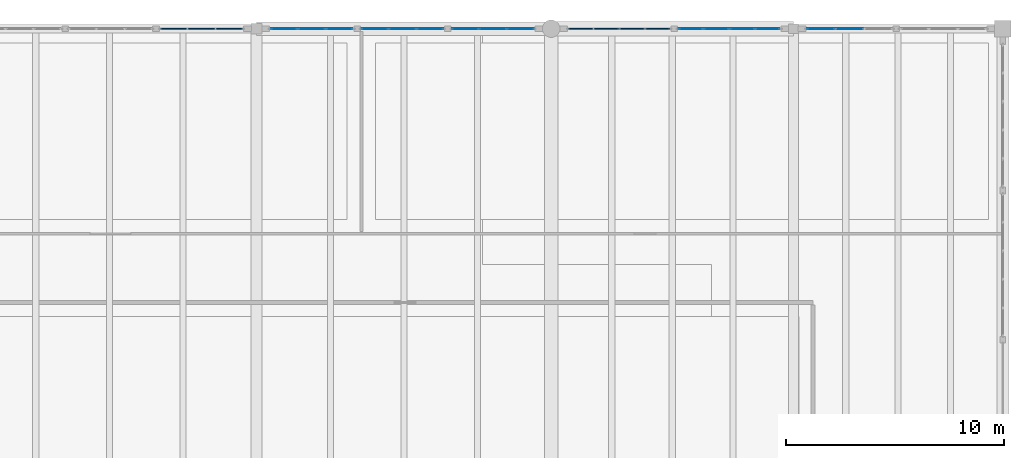
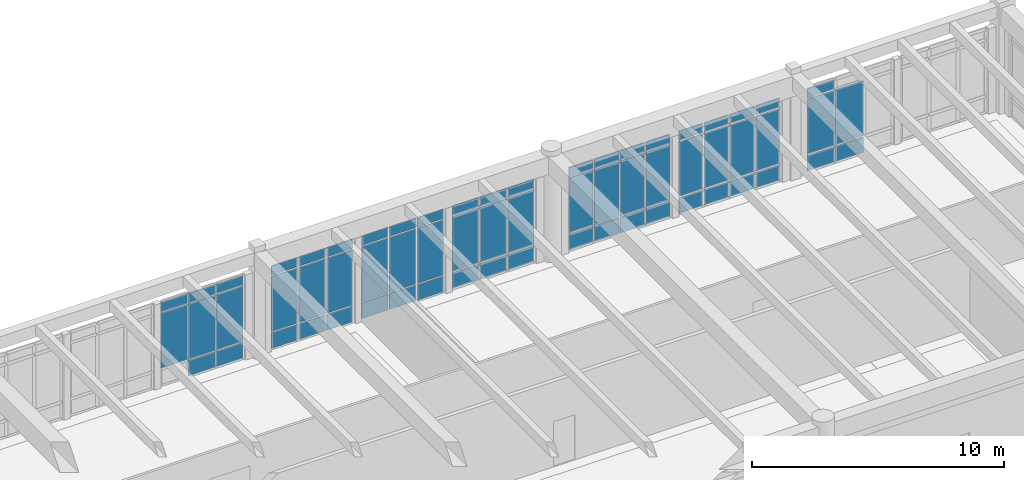
# One storey, part 97 of 138: 64 plates, 7 elements without a shape of their own.
"""IFC4 building model written with IfcOpenShell, lengths in metres."""

from ifc_helpers import new_model, si_unit, direction, frame, origin, origin_2d, place, context, subcontext, project, spatial, rectangle, extrude, material, layer, layer_set, type_object, element, aggregate, save


model = new_model("IFC4")

# Units and contexts
model_context = context("Model", 3, precision=1e-05, world=origin(), true_north=direction((0.0, 1.0)))
body_context = subcontext(model_context, "Body", "Model", "MODEL_VIEW")
ifc_project = project(units=[si_unit("LENGTHUNIT", "METRE"), si_unit("AREAUNIT", "SQUARE_METRE"), si_unit("VOLUMEUNIT", "CUBIC_METRE"), si_unit("PLANEANGLEUNIT", "RADIAN"), si_unit("MASSUNIT", "GRAM", prefix="KILO")], contexts=[model_context])

# Site, building, storey
site_placement = place(None, origin())
site = spatial("IfcSite", under=ifc_project, at=site_placement, CompositionType="ELEMENT")
building_placement = place(site_placement, origin())
building = spatial("IfcBuilding", under=site, at=building_placement, Name="Fikremerkos Civic Library", CompositionType="ELEMENT")
storey_placement = place(building_placement, origin())
storey = spatial("IfcBuildingStorey", under=building, at=storey_placement, Name="L00", CompositionType="ELEMENT", Elevation=0.0)

# Curtain wall, plates
ifc_material_1 = material(Name="Anodized aluminium Frame", Category="aluminium")
ifc_layer_1 = layer(ifc_material_1, 0.159912109375, Name="Anodized aluminium Frame")
ifc_layer_set_1 = layer_set([ifc_layer_1], Name="Anodized aluminium Frame")
curtain_wall_type_1 = type_object("IfcCurtainWallType", Name="Unitised curtain wall CW-13 3700x3200", PredefinedType="USERDEFINED", material=ifc_layer_set_1)
curtain_wall_1_placement = place(storey_placement, origin())
curtain_wall_1 = element("IfcCurtainWall", 1, at=curtain_wall_1_placement, inside=storey, type_object=curtain_wall_type_1, Name="Unitised curtain wall CW-13 L00 #49", ObjectType="UNITISED CURTAIN WALL", PredefinedType="USERDEFINED")
ifc_material_2 = material(Name="Solar control double glazing", Category="glass")
ifc_layer_2 = layer(ifc_material_2, 0.028076171875, Name="Solar control double glazing")
ifc_layer_set_2 = layer_set([ifc_layer_2], Name="Solar control double glazing")
plate_type_1 = type_object("IfcPlateType", Name="Curtain glazing panel CWP-01 28", PredefinedType="CURTAIN_PANEL", material=ifc_layer_set_2)
plate_1_placement = place(storey_placement, frame((101.4560546875, 117.60009765625, 0.06005859375), z_axis=(0.0, 0.0, 1.0), x_axis=(1.0, 0.0, 0.0)))
plate_1 = element("IfcPlate", 2, at=plate_1_placement, type_object=plate_type_1, Name="CW-13 panel 1.1", PredefinedType="CURTAIN_PANEL", context=body_context, shape_type="SweptSolid", body=[
    extrude(rectangle(XDim=1.186279296875, YDim=0.028076171875, at=origin_2d()), origin(), (0.0, 0.0, 1.0), 0.760009765625),
])
plate_2_placement = place(storey_placement, frame((101.4560546875, 117.60009765625, 0.880126953125), z_axis=(0.0, 0.0, 1.0), x_axis=(1.0, 0.0, 0.0)))
plate_2 = element("IfcPlate", 3, at=plate_2_placement, type_object=plate_type_1, Name="CW-13 panel 1.2", PredefinedType="CURTAIN_PANEL", context=body_context, shape_type="SweptSolid", body=[
    extrude(rectangle(XDim=1.186279296875, YDim=0.028076171875, at=origin_2d()), origin(), (0.0, 0.0, 1.0), 2.669921875),
])
plate_3_placement = place(storey_placement, frame((101.4560546875, 117.60009765625, 3.610107421875), z_axis=(0.0, 0.0, 1.0), x_axis=(1.0, 0.0, 0.0)))
plate_3 = element("IfcPlate", 4, at=plate_3_placement, type_object=plate_type_1, Name="CW-13 panel 1.3", PredefinedType="CURTAIN_PANEL", context=body_context, shape_type="SweptSolid", body=[
    extrude(rectangle(XDim=1.186279296875, YDim=0.028076171875, at=origin_2d()), origin(), (0.0, 0.0, 1.0), 0.4599609375),
])
plate_4_placement = place(storey_placement, frame((102.7236328125, 117.60009765625, 0.06005859375), z_axis=(0.0, 0.0, 1.0), x_axis=(1.0, 0.0, 0.0)))
plate_4 = element("IfcPlate", 5, at=plate_4_placement, type_object=plate_type_1, Name="CW-13 panel 2.1", PredefinedType="CURTAIN_PANEL", context=body_context, shape_type="SweptSolid", body=[
    extrude(rectangle(XDim=1.21875, YDim=0.028076171875, at=origin_2d()), origin(), (0.0, 0.0, 1.0), 0.760009765625),
])
plate_5_placement = place(storey_placement, frame((102.7236328125, 117.60009765625, 0.880126953125), z_axis=(0.0, 0.0, 1.0), x_axis=(1.0, 0.0, 0.0)))
plate_5 = element("IfcPlate", 6, at=plate_5_placement, type_object=plate_type_1, Name="CW-13 panel 2.2", PredefinedType="CURTAIN_PANEL", context=body_context, shape_type="SweptSolid", body=[
    extrude(rectangle(XDim=1.21875, YDim=0.028076171875, at=origin_2d()), origin(), (0.0, 0.0, 1.0), 2.669921875),
])
plate_6_placement = place(storey_placement, frame((102.7236328125, 117.60009765625, 3.610107421875), z_axis=(0.0, 0.0, 1.0), x_axis=(1.0, 0.0, 0.0)))
plate_6 = element("IfcPlate", 7, at=plate_6_placement, type_object=plate_type_1, Name="CW-13 panel 2.3", PredefinedType="CURTAIN_PANEL", context=body_context, shape_type="SweptSolid", body=[
    extrude(rectangle(XDim=1.21875, YDim=0.028076171875, at=origin_2d()), origin(), (0.0, 0.0, 1.0), 0.4599609375),
])
plate_7_placement = place(storey_placement, frame((103.9912109375, 117.60009765625, 0.06005859375), z_axis=(0.0, 0.0, 1.0), x_axis=(1.0, 0.0, 0.0)))
plate_7 = element("IfcPlate", 8, at=plate_7_placement, type_object=plate_type_1, Name="CW-13 panel 3.1", PredefinedType="CURTAIN_PANEL", context=body_context, shape_type="SweptSolid", body=[
    extrude(rectangle(XDim=1.186279296875, YDim=0.028076171875, at=origin_2d()), origin(), (0.0, 0.0, 1.0), 0.760009765625),
])
plate_8_placement = place(storey_placement, frame((103.9912109375, 117.60009765625, 0.880126953125), z_axis=(0.0, 0.0, 1.0), x_axis=(1.0, 0.0, 0.0)))
plate_8 = element("IfcPlate", 9, at=plate_8_placement, type_object=plate_type_1, Name="CW-13 panel 3.2", PredefinedType="CURTAIN_PANEL", context=body_context, shape_type="SweptSolid", body=[
    extrude(rectangle(XDim=1.186279296875, YDim=0.028076171875, at=origin_2d()), origin(), (0.0, 0.0, 1.0), 2.669921875),
])
plate_9_placement = place(storey_placement, frame((103.9912109375, 117.60009765625, 3.610107421875), z_axis=(0.0, 0.0, 1.0), x_axis=(1.0, 0.0, 0.0)))
plate_9 = element("IfcPlate", 10, at=plate_9_placement, type_object=plate_type_1, Name="CW-13 panel 3.3", PredefinedType="CURTAIN_PANEL", context=body_context, shape_type="SweptSolid", body=[
    extrude(rectangle(XDim=1.186279296875, YDim=0.028076171875, at=origin_2d()), origin(), (0.0, 0.0, 1.0), 0.4599609375),
])
aggregate(curtain_wall_1, [plate_1, plate_2, plate_3, plate_4, plate_5, plate_6, plate_7, plate_8, plate_9])

ifc_layer_3 = layer(ifc_material_1, 0.159912109375, Name="Anodized aluminium Frame")
ifc_layer_set_3 = layer_set([ifc_layer_3], Name="Anodized aluminium Frame")
curtain_wall_type_2 = type_object("IfcCurtainWallType", Name="Unitised curtain wall CW-17 4600x3600", PredefinedType="USERDEFINED", material=ifc_layer_set_3)
curtain_wall_2_placement = place(storey_placement, origin())
curtain_wall_2 = element("IfcCurtainWall", 11, at=curtain_wall_2_placement, inside=storey, type_object=curtain_wall_type_2, Name="Unitised curtain wall CW-17 L00 #53", ObjectType="UNITISED CURTAIN WALL", PredefinedType="USERDEFINED")
plate_10_placement = place(storey_placement, frame((120.09619140625, 117.60009765625, 0.06982421875), z_axis=(0.0, 0.0, 1.0), x_axis=(1.0, 0.0, 0.0)))
plate_10 = element("IfcPlate", 12, at=plate_10_placement, type_object=plate_type_1, Name="CW-17 panel 1.1", PredefinedType="CURTAIN_PANEL", context=body_context, shape_type="SweptSolid", body=[
    extrude(rectangle(XDim=1.08740234375, YDim=0.028076171875, at=origin_2d()), origin(), (0.0, 0.0, 1.0), 0.7451171875),
])
plate_11_placement = place(storey_placement, frame((120.09619140625, 117.60009765625, 0.88525390625), z_axis=(0.0, 0.0, 1.0), x_axis=(1.0, 0.0, 0.0)))
plate_11 = element("IfcPlate", 13, at=plate_11_placement, type_object=plate_type_1, Name="CW-17 panel 1.2", PredefinedType="CURTAIN_PANEL", context=body_context, shape_type="SweptSolid", body=[
    extrude(rectangle(XDim=1.08740234375, YDim=0.028076171875, at=origin_2d()), origin(), (0.0, 0.0, 1.0), 2.659912109375),
])
plate_12_placement = place(storey_placement, frame((120.09619140625, 117.60009765625, 3.61474609375), z_axis=(0.0, 0.0, 1.0), x_axis=(1.0, 0.0, 0.0)))
plate_12 = element("IfcPlate", 14, at=plate_12_placement, type_object=plate_type_1, Name="CW-17 panel 1.3", PredefinedType="CURTAIN_PANEL", context=body_context, shape_type="SweptSolid", body=[
    extrude(rectangle(XDim=1.08740234375, YDim=0.028076171875, at=origin_2d()), origin(), (0.0, 0.0, 1.0), 0.445068359375),
])
plate_13_placement = place(storey_placement, frame((121.264892578125, 117.60009765625, 0.06982421875), z_axis=(0.0, 0.0, 1.0), x_axis=(1.0, 0.0, 0.0)))
plate_13 = element("IfcPlate", 15, at=plate_13_placement, type_object=plate_type_1, Name="CW-17 panel 2.1", PredefinedType="CURTAIN_PANEL", context=body_context, shape_type="SweptSolid", body=[
    extrude(rectangle(XDim=1.119873046875, YDim=0.028076171875, at=origin_2d()), origin(), (0.0, 0.0, 1.0), 0.7451171875),
])
plate_14_placement = place(storey_placement, frame((121.264892578125, 117.60009765625, 0.88525390625), z_axis=(0.0, 0.0, 1.0), x_axis=(1.0, 0.0, 0.0)))
plate_14 = element("IfcPlate", 16, at=plate_14_placement, type_object=plate_type_1, Name="CW-17 panel 2.2", PredefinedType="CURTAIN_PANEL", context=body_context, shape_type="SweptSolid", body=[
    extrude(rectangle(XDim=1.119873046875, YDim=0.028076171875, at=origin_2d()), origin(), (0.0, 0.0, 1.0), 2.659912109375),
])
plate_15_placement = place(storey_placement, frame((121.264892578125, 117.60009765625, 3.61474609375), z_axis=(0.0, 0.0, 1.0), x_axis=(1.0, 0.0, 0.0)))
plate_15 = element("IfcPlate", 17, at=plate_15_placement, type_object=plate_type_1, Name="CW-17 panel 2.3", PredefinedType="CURTAIN_PANEL", context=body_context, shape_type="SweptSolid", body=[
    extrude(rectangle(XDim=1.119873046875, YDim=0.028076171875, at=origin_2d()), origin(), (0.0, 0.0, 1.0), 0.445068359375),
])
plate_16_placement = place(storey_placement, frame((122.44970703125, 117.60009765625, 0.06982421875), z_axis=(0.0, 0.0, 1.0), x_axis=(1.0, 0.0, 0.0)))
plate_16 = element("IfcPlate", 18, at=plate_16_placement, type_object=plate_type_1, Name="CW-17 panel 3.1", PredefinedType="CURTAIN_PANEL", context=body_context, shape_type="SweptSolid", body=[
    extrude(rectangle(XDim=1.119873046875, YDim=0.028076171875, at=origin_2d()), origin(), (0.0, 0.0, 1.0), 0.7451171875),
])
plate_17_placement = place(storey_placement, frame((122.44970703125, 117.60009765625, 0.88525390625), z_axis=(0.0, 0.0, 1.0), x_axis=(1.0, 0.0, 0.0)))
plate_17 = element("IfcPlate", 19, at=plate_17_placement, type_object=plate_type_1, Name="CW-17 panel 3.2", PredefinedType="CURTAIN_PANEL", context=body_context, shape_type="SweptSolid", body=[
    extrude(rectangle(XDim=1.119873046875, YDim=0.028076171875, at=origin_2d()), origin(), (0.0, 0.0, 1.0), 2.659912109375),
])
plate_18_placement = place(storey_placement, frame((122.44970703125, 117.60009765625, 3.61474609375), z_axis=(0.0, 0.0, 1.0), x_axis=(1.0, 0.0, 0.0)))
plate_18 = element("IfcPlate", 20, at=plate_18_placement, type_object=plate_type_1, Name="CW-17 panel 3.3", PredefinedType="CURTAIN_PANEL", context=body_context, shape_type="SweptSolid", body=[
    extrude(rectangle(XDim=1.119873046875, YDim=0.028076171875, at=origin_2d()), origin(), (0.0, 0.0, 1.0), 0.445068359375),
])
plate_19_placement = place(storey_placement, frame((123.618408203125, 117.60009765625, 0.06982421875), z_axis=(0.0, 0.0, 1.0), x_axis=(1.0, 0.0, 0.0)))
plate_19 = element("IfcPlate", 21, at=plate_19_placement, type_object=plate_type_1, Name="CW-17 panel 4.1", PredefinedType="CURTAIN_PANEL", context=body_context, shape_type="SweptSolid", body=[
    extrude(rectangle(XDim=1.08740234375, YDim=0.028076171875, at=origin_2d()), origin(), (0.0, 0.0, 1.0), 0.7451171875),
])
plate_20_placement = place(storey_placement, frame((123.618408203125, 117.60009765625, 0.88525390625), z_axis=(0.0, 0.0, 1.0), x_axis=(1.0, 0.0, 0.0)))
plate_20 = element("IfcPlate", 22, at=plate_20_placement, type_object=plate_type_1, Name="CW-17 panel 4.2", PredefinedType="CURTAIN_PANEL", context=body_context, shape_type="SweptSolid", body=[
    extrude(rectangle(XDim=1.08740234375, YDim=0.028076171875, at=origin_2d()), origin(), (0.0, 0.0, 1.0), 2.659912109375),
])
plate_21_placement = place(storey_placement, frame((123.618408203125, 117.60009765625, 3.61474609375), z_axis=(0.0, 0.0, 1.0), x_axis=(1.0, 0.0, 0.0)))
plate_21 = element("IfcPlate", 23, at=plate_21_placement, type_object=plate_type_1, Name="CW-17 panel 4.3", PredefinedType="CURTAIN_PANEL", context=body_context, shape_type="SweptSolid", body=[
    extrude(rectangle(XDim=1.08740234375, YDim=0.028076171875, at=origin_2d()), origin(), (0.0, 0.0, 1.0), 0.445068359375),
])
aggregate(curtain_wall_2, [plate_10, plate_11, plate_12, plate_13, plate_14, plate_15, plate_16, plate_17, plate_18, plate_19, plate_20, plate_21])

ifc_layer_4 = layer(ifc_material_1, 0.159912109375, Name="Anodized aluminium Frame")
ifc_layer_set_4 = layer_set([ifc_layer_4], Name="Anodized aluminium Frame")
curtain_wall_type_3 = type_object("IfcCurtainWallType", Name="Unitised curtain wall CW-14 4100x3200", PredefinedType="USERDEFINED", material=ifc_layer_set_4)
curtain_wall_3_placement = place(storey_placement, origin())
curtain_wall_3 = element("IfcCurtainWall", 24, at=curtain_wall_3_placement, inside=storey, type_object=curtain_wall_type_3, Name="Unitised curtain wall CW-14 L00 #50", ObjectType="UNITISED CURTAIN WALL", PredefinedType="USERDEFINED")
ifc_layer_5 = layer(ifc_material_2, 0.035888671875, Name="Solar control double glazing")
ifc_layer_set_5 = layer_set([ifc_layer_5], Name="Solar control double glazing")
plate_type_2 = type_object("IfcPlateType", Name="Curtain glazing panel CWP-02 36", PredefinedType="CURTAIN_PANEL", material=ifc_layer_set_5)
plate_22_placement = place(storey_placement, frame((105.606201171875, 117.60009765625, 0.06005859375), z_axis=(0.0, 0.0, 1.0), x_axis=(1.0, 0.0, 0.0)))
plate_22 = element("IfcPlate", 25, at=plate_22_placement, type_object=plate_type_2, Name="CW-14 panel 1.1", PredefinedType="CURTAIN_PANEL", context=body_context, shape_type="SweptSolid", body=[
    extrude(rectangle(XDim=1.19384765625, YDim=0.035888671875, at=origin_2d()), origin(), (0.0, 0.0, 1.0), 0.760009765625),
])
plate_23_placement = place(storey_placement, frame((105.606201171875, 117.60009765625, 0.880126953125), z_axis=(0.0, 0.0, 1.0), x_axis=(1.0, 0.0, 0.0)))
plate_23 = element("IfcPlate", 26, at=plate_23_placement, type_object=plate_type_2, Name="CW-14 panel 1.2", PredefinedType="CURTAIN_PANEL", context=body_context, shape_type="SweptSolid", body=[
    extrude(rectangle(XDim=1.19384765625, YDim=0.035888671875, at=origin_2d()), origin(), (0.0, 0.0, 1.0), 2.669921875),
])
plate_24_placement = place(storey_placement, frame((105.606201171875, 117.60009765625, 3.610107421875), z_axis=(0.0, 0.0, 1.0), x_axis=(1.0, 0.0, 0.0)))
plate_24 = element("IfcPlate", 27, at=plate_24_placement, type_object=plate_type_2, Name="CW-14 panel 1.3", PredefinedType="CURTAIN_PANEL", context=body_context, shape_type="SweptSolid", body=[
    extrude(rectangle(XDim=1.19384765625, YDim=0.035888671875, at=origin_2d()), origin(), (0.0, 0.0, 1.0), 0.4599609375),
])
plate_25_placement = place(storey_placement, frame((106.875, 117.60009765625, 0.06005859375), z_axis=(0.0, 0.0, 1.0), x_axis=(1.0, 0.0, 0.0)))
plate_25 = element("IfcPlate", 28, at=plate_25_placement, type_object=plate_type_2, Name="CW-14 panel 2.1", PredefinedType="CURTAIN_PANEL", context=body_context, shape_type="SweptSolid", body=[
    extrude(rectangle(XDim=1.223876953125, YDim=0.035888671875, at=origin_2d()), origin(), (0.0, 0.0, 1.0), 0.760009765625),
])
plate_26_placement = place(storey_placement, frame((106.875, 117.60009765625, 0.880126953125), z_axis=(0.0, 0.0, 1.0), x_axis=(1.0, 0.0, 0.0)))
plate_26 = element("IfcPlate", 29, at=plate_26_placement, type_object=plate_type_2, Name="CW-14 panel 2.2", PredefinedType="CURTAIN_PANEL", context=body_context, shape_type="SweptSolid", body=[
    extrude(rectangle(XDim=1.223876953125, YDim=0.035888671875, at=origin_2d()), origin(), (0.0, 0.0, 1.0), 2.669921875),
])
plate_27_placement = place(storey_placement, frame((106.875, 117.60009765625, 3.610107421875), z_axis=(0.0, 0.0, 1.0), x_axis=(1.0, 0.0, 0.0)))
plate_27 = element("IfcPlate", 30, at=plate_27_placement, type_object=plate_type_2, Name="CW-14 panel 2.3", PredefinedType="CURTAIN_PANEL", context=body_context, shape_type="SweptSolid", body=[
    extrude(rectangle(XDim=1.223876953125, YDim=0.035888671875, at=origin_2d()), origin(), (0.0, 0.0, 1.0), 0.4599609375),
])
plate_28_placement = place(storey_placement, frame((108.143798828125, 117.60009765625, 0.06005859375), z_axis=(0.0, 0.0, 1.0), x_axis=(1.0, 0.0, 0.0)))
plate_28 = element("IfcPlate", 31, at=plate_28_placement, type_object=plate_type_2, Name="CW-14 panel 3.1", PredefinedType="CURTAIN_PANEL", context=body_context, shape_type="SweptSolid", body=[
    extrude(rectangle(XDim=1.19384765625, YDim=0.035888671875, at=origin_2d()), origin(), (0.0, 0.0, 1.0), 0.760009765625),
])
plate_29_placement = place(storey_placement, frame((108.143798828125, 117.60009765625, 0.880126953125), z_axis=(0.0, 0.0, 1.0), x_axis=(1.0, 0.0, 0.0)))
plate_29 = element("IfcPlate", 32, at=plate_29_placement, type_object=plate_type_2, Name="CW-14 panel 3.2", PredefinedType="CURTAIN_PANEL", context=body_context, shape_type="SweptSolid", body=[
    extrude(rectangle(XDim=1.19384765625, YDim=0.035888671875, at=origin_2d()), origin(), (0.0, 0.0, 1.0), 2.669921875),
])
plate_30_placement = place(storey_placement, frame((108.143798828125, 117.60009765625, 3.610107421875), z_axis=(0.0, 0.0, 1.0), x_axis=(1.0, 0.0, 0.0)))
plate_30 = element("IfcPlate", 33, at=plate_30_placement, type_object=plate_type_2, Name="CW-14 panel 3.3", PredefinedType="CURTAIN_PANEL", context=body_context, shape_type="SweptSolid", body=[
    extrude(rectangle(XDim=1.19384765625, YDim=0.035888671875, at=origin_2d()), origin(), (0.0, 0.0, 1.0), 0.4599609375),
])
aggregate(curtain_wall_3, [plate_22, plate_23, plate_24, plate_25, plate_26, plate_27, plate_28, plate_29, plate_30])

ifc_layer_6 = layer(ifc_material_1, 0.159912109375, Name="Anodized aluminium Frame")
ifc_layer_set_6 = layer_set([ifc_layer_6], Name="Anodized aluminium Frame")
curtain_wall_type_4 = type_object("IfcCurtainWallType", Name="Unitised curtain wall CW-18 2700x3400", PredefinedType="USERDEFINED", material=ifc_layer_set_6)
curtain_wall_4_placement = place(storey_placement, origin())
curtain_wall_4 = element("IfcCurtainWall", 34, at=curtain_wall_4_placement, inside=storey, type_object=curtain_wall_type_4, Name="Unitised curtain wall CW-18 L00 #54", ObjectType="UNITISED CURTAIN WALL", PredefinedType="USERDEFINED")
plate_31_placement = place(storey_placement, frame((126.054931640625, 117.60009765625, 0.06982421875), z_axis=(0.0, 0.0, 1.0), x_axis=(1.0, 0.0, 0.0)))
plate_31 = element("IfcPlate", 35, at=plate_31_placement, type_object=plate_type_2, Name="CW-18 panel 1.1", PredefinedType="CURTAIN_PANEL", context=body_context, shape_type="SweptSolid", body=[
    extrude(rectangle(XDim=1.243896484375, YDim=0.035888671875, at=origin_2d()), origin(), (0.0, 0.0, 1.0), 0.7451171875),
])
plate_32_placement = place(storey_placement, frame((126.054931640625, 117.60009765625, 0.88525390625), z_axis=(0.0, 0.0, 1.0), x_axis=(1.0, 0.0, 0.0)))
plate_32 = element("IfcPlate", 36, at=plate_32_placement, type_object=plate_type_2, Name="CW-18 panel 1.2", PredefinedType="CURTAIN_PANEL", context=body_context, shape_type="SweptSolid", body=[
    extrude(rectangle(XDim=1.243896484375, YDim=0.035888671875, at=origin_2d()), origin(), (0.0, 0.0, 1.0), 2.659912109375),
])
plate_33_placement = place(storey_placement, frame((126.054931640625, 117.60009765625, 3.61474609375), z_axis=(0.0, 0.0, 1.0), x_axis=(1.0, 0.0, 0.0)))
plate_33 = element("IfcPlate", 37, at=plate_33_placement, type_object=plate_type_2, Name="CW-18 panel 1.3", PredefinedType="CURTAIN_PANEL", context=body_context, shape_type="SweptSolid", body=[
    extrude(rectangle(XDim=1.243896484375, YDim=0.035888671875, at=origin_2d()), origin(), (0.0, 0.0, 1.0), 0.445068359375),
])
plate_34_placement = place(storey_placement, frame((127.3740234375, 117.60009765625, 0.06982421875), z_axis=(0.0, 0.0, 1.0), x_axis=(1.0, 0.0, 0.0)))
plate_34 = element("IfcPlate", 38, at=plate_34_placement, type_object=plate_type_2, Name="CW-18 panel 2.1", PredefinedType="CURTAIN_PANEL", context=body_context, shape_type="SweptSolid", body=[
    extrude(rectangle(XDim=1.27392578125, YDim=0.035888671875, at=origin_2d()), origin(), (0.0, 0.0, 1.0), 0.7451171875),
])
plate_35_placement = place(storey_placement, frame((127.3740234375, 117.60009765625, 0.88525390625), z_axis=(0.0, 0.0, 1.0), x_axis=(1.0, 0.0, 0.0)))
plate_35 = element("IfcPlate", 39, at=plate_35_placement, type_object=plate_type_2, Name="CW-18 panel 2.2", PredefinedType="CURTAIN_PANEL", context=body_context, shape_type="SweptSolid", body=[
    extrude(rectangle(XDim=1.27392578125, YDim=0.035888671875, at=origin_2d()), origin(), (0.0, 0.0, 1.0), 2.659912109375),
])
aggregate(curtain_wall_4, [plate_31, plate_32, plate_33, plate_34, plate_35])

ifc_layer_7 = layer(ifc_material_1, 0.159912109375, Name="Anodized aluminium Frame")
ifc_layer_set_7 = layer_set([ifc_layer_7], Name="Anodized aluminium Frame")
curtain_wall_type_5 = type_object("IfcCurtainWallType", Name="Unitised curtain wall CW-15 2900x3600", PredefinedType="USERDEFINED", material=ifc_layer_set_7)
curtain_wall_5_placement = place(storey_placement, origin())
curtain_wall_5 = element("IfcCurtainWall", 40, at=curtain_wall_5_placement, inside=storey, type_object=curtain_wall_type_5, Name="Unitised curtain wall CW-15 L00 #51", ObjectType="UNITISED CURTAIN WALL", PredefinedType="USERDEFINED")
ifc_material_3 = material(Name="Insulated aluminium spandrel", Category="aluminium")
ifc_layer_8 = layer(ifc_material_3, 0.044921875, Name="Insulated aluminium spandrel")
ifc_layer_set_8 = layer_set([ifc_layer_8], Name="Insulated aluminium spandrel")
plate_type_3 = type_object("IfcPlateType", Name="Curtain spandrel panel CSP-01 45", PredefinedType="CURTAIN_PANEL", material=ifc_layer_set_8)
plate_36_placement = place(storey_placement, frame((109.757568359375, 117.60009765625, 0.06982421875), z_axis=(0.0, 0.0, 1.0), x_axis=(1.0, 0.0, 0.0)))
plate_36 = element("IfcPlate", 41, at=plate_36_placement, type_object=plate_type_3, Name="CW-15 panel 1.1", PredefinedType="CURTAIN_PANEL", context=body_context, shape_type="SweptSolid", body=[
    extrude(rectangle(XDim=1.19384765625, YDim=0.044921875, at=origin_2d()), origin(), (0.0, 0.0, 1.0), 0.7451171875),
])
plate_37_placement = place(storey_placement, frame((109.757568359375, 117.60009765625, 0.88525390625), z_axis=(0.0, 0.0, 1.0), x_axis=(1.0, 0.0, 0.0)))
plate_37 = element("IfcPlate", 42, at=plate_37_placement, type_object=plate_type_3, Name="CW-15 panel 1.2", PredefinedType="CURTAIN_PANEL", context=body_context, shape_type="SweptSolid", body=[
    extrude(rectangle(XDim=1.19384765625, YDim=0.044921875, at=origin_2d()), origin(), (0.0, 0.0, 1.0), 2.659912109375),
])
plate_38_placement = place(storey_placement, frame((109.757568359375, 117.60009765625, 3.61474609375), z_axis=(0.0, 0.0, 1.0), x_axis=(1.0, 0.0, 0.0)))
plate_38 = element("IfcPlate", 43, at=plate_38_placement, type_object=plate_type_3, Name="CW-15 panel 1.3", PredefinedType="CURTAIN_PANEL", context=body_context, shape_type="SweptSolid", body=[
    extrude(rectangle(XDim=1.19384765625, YDim=0.044921875, at=origin_2d()), origin(), (0.0, 0.0, 1.0), 0.445068359375),
])
plate_39_placement = place(storey_placement, frame((111.0263671875, 117.60009765625, 0.06982421875), z_axis=(0.0, 0.0, 1.0), x_axis=(1.0, 0.0, 0.0)))
plate_39 = element("IfcPlate", 44, at=plate_39_placement, type_object=plate_type_3, Name="CW-15 panel 2.1", PredefinedType="CURTAIN_PANEL", context=body_context, shape_type="SweptSolid", body=[
    extrude(rectangle(XDim=1.223876953125, YDim=0.044921875, at=origin_2d()), origin(), (0.0, 0.0, 1.0), 0.7451171875),
])
plate_40_placement = place(storey_placement, frame((111.0263671875, 117.60009765625, 0.88525390625), z_axis=(0.0, 0.0, 1.0), x_axis=(1.0, 0.0, 0.0)))
plate_40 = element("IfcPlate", 45, at=plate_40_placement, type_object=plate_type_3, Name="CW-15 panel 2.2", PredefinedType="CURTAIN_PANEL", context=body_context, shape_type="SweptSolid", body=[
    extrude(rectangle(XDim=1.223876953125, YDim=0.044921875, at=origin_2d()), origin(), (0.0, 0.0, 1.0), 2.659912109375),
])
plate_41_placement = place(storey_placement, frame((111.0263671875, 117.60009765625, 3.61474609375), z_axis=(0.0, 0.0, 1.0), x_axis=(1.0, 0.0, 0.0)))
plate_41 = element("IfcPlate", 46, at=plate_41_placement, type_object=plate_type_3, Name="CW-15 panel 2.3", PredefinedType="CURTAIN_PANEL", context=body_context, shape_type="SweptSolid", body=[
    extrude(rectangle(XDim=1.223876953125, YDim=0.044921875, at=origin_2d()), origin(), (0.0, 0.0, 1.0), 0.445068359375),
])
plate_42_placement = place(storey_placement, frame((112.295166015625, 117.60009765625, 0.06982421875), z_axis=(0.0, 0.0, 1.0), x_axis=(1.0, 0.0, 0.0)))
plate_42 = element("IfcPlate", 47, at=plate_42_placement, type_object=plate_type_3, Name="CW-15 panel 3.1", PredefinedType="CURTAIN_PANEL", context=body_context, shape_type="SweptSolid", body=[
    extrude(rectangle(XDim=1.19384765625, YDim=0.044921875, at=origin_2d()), origin(), (0.0, 0.0, 1.0), 0.7451171875),
])
plate_43_placement = place(storey_placement, frame((112.295166015625, 117.60009765625, 0.88525390625), z_axis=(0.0, 0.0, 1.0), x_axis=(1.0, 0.0, 0.0)))
plate_43 = element("IfcPlate", 48, at=plate_43_placement, type_object=plate_type_3, Name="CW-15 panel 3.2", PredefinedType="CURTAIN_PANEL", context=body_context, shape_type="SweptSolid", body=[
    extrude(rectangle(XDim=1.19384765625, YDim=0.044921875, at=origin_2d()), origin(), (0.0, 0.0, 1.0), 2.659912109375),
])
plate_44_placement = place(storey_placement, frame((112.295166015625, 117.60009765625, 3.61474609375), z_axis=(0.0, 0.0, 1.0), x_axis=(1.0, 0.0, 0.0)))
plate_44 = element("IfcPlate", 49, at=plate_44_placement, type_object=plate_type_3, Name="CW-15 panel 3.3", PredefinedType="CURTAIN_PANEL", context=body_context, shape_type="SweptSolid", body=[
    extrude(rectangle(XDim=1.19384765625, YDim=0.044921875, at=origin_2d()), origin(), (0.0, 0.0, 1.0), 0.445068359375),
])
aggregate(curtain_wall_5, [plate_36, plate_37, plate_38, plate_39, plate_40, plate_41, plate_42, plate_43, plate_44])

ifc_layer_9 = layer(ifc_material_1, 0.159912109375, Name="Anodized aluminium Frame")
ifc_layer_set_9 = layer_set([ifc_layer_9], Name="Anodized aluminium Frame")
curtain_wall_type_6 = type_object("IfcCurtainWallType", Name="Unitised curtain wall CW-12 4300x3400", PredefinedType="USERDEFINED", material=ifc_layer_set_9)
curtain_wall_6_placement = place(storey_placement, origin())
curtain_wall_6 = element("IfcCurtainWall", 50, at=curtain_wall_6_placement, inside=storey, type_object=curtain_wall_type_6, Name="Unitised curtain wall CW-12 L00 #48", ObjectType="UNITISED CURTAIN WALL", PredefinedType="USERDEFINED")
ifc_layer_10 = layer(ifc_material_3, 0.054931640625, Name="Insulated aluminium spandrel")
ifc_layer_set_10 = layer_set([ifc_layer_10], Name="Insulated aluminium spandrel")
plate_type_4 = type_object("IfcPlateType", Name="Curtain spandrel panel CSP-02 55", PredefinedType="CURTAIN_PANEL", material=ifc_layer_set_10)
plate_45_placement = place(storey_placement, frame((96.3935546875, 117.60009765625, 0.882568359375), z_axis=(0.0, 0.0, 1.0), x_axis=(1.0, 0.0, 0.0)))
plate_45 = element("IfcPlate", 51, at=plate_45_placement, type_object=plate_type_4, Name="CW-12 panel 1.2", PredefinedType="CURTAIN_PANEL", context=body_context, shape_type="SweptSolid", body=[
    extrude(rectangle(XDim=1.19921875, YDim=0.054931640625, at=origin_2d()), origin(), (0.0, 0.0, 1.0), 2.6650390625),
])
plate_46_placement = place(storey_placement, frame((96.3935546875, 117.60009765625, 3.61279296875), z_axis=(0.0, 0.0, 1.0), x_axis=(1.0, 0.0, 0.0)))
plate_46 = element("IfcPlate", 52, at=plate_46_placement, type_object=plate_type_4, Name="CW-12 panel 1.3", PredefinedType="CURTAIN_PANEL", context=body_context, shape_type="SweptSolid", body=[
    extrude(rectangle(XDim=1.19921875, YDim=0.054931640625, at=origin_2d()), origin(), (0.0, 0.0, 1.0), 0.452392578125),
])
plate_47_placement = place(storey_placement, frame((97.66796875, 117.60009765625, 0.06494140625), z_axis=(0.0, 0.0, 1.0), x_axis=(1.0, 0.0, 0.0)))
plate_47 = element("IfcPlate", 53, at=plate_47_placement, type_object=plate_type_4, Name="CW-12 panel 2.1", PredefinedType="CURTAIN_PANEL", context=body_context, shape_type="SweptSolid", body=[
    extrude(rectangle(XDim=1.229248046875, YDim=0.054931640625, at=origin_2d()), origin(), (0.0, 0.0, 1.0), 0.75244140625),
])
plate_48_placement = place(storey_placement, frame((97.66796875, 117.60009765625, 0.882568359375), z_axis=(0.0, 0.0, 1.0), x_axis=(1.0, 0.0, 0.0)))
plate_48 = element("IfcPlate", 54, at=plate_48_placement, type_object=plate_type_4, Name="CW-12 panel 2.2", PredefinedType="CURTAIN_PANEL", context=body_context, shape_type="SweptSolid", body=[
    extrude(rectangle(XDim=1.229248046875, YDim=0.054931640625, at=origin_2d()), origin(), (0.0, 0.0, 1.0), 2.6650390625),
])
plate_49_placement = place(storey_placement, frame((97.66796875, 117.60009765625, 3.61279296875), z_axis=(0.0, 0.0, 1.0), x_axis=(1.0, 0.0, 0.0)))
plate_49 = element("IfcPlate", 55, at=plate_49_placement, type_object=plate_type_4, Name="CW-12 panel 2.3", PredefinedType="CURTAIN_PANEL", context=body_context, shape_type="SweptSolid", body=[
    extrude(rectangle(XDim=1.229248046875, YDim=0.054931640625, at=origin_2d()), origin(), (0.0, 0.0, 1.0), 0.452392578125),
])
plate_50_placement = place(storey_placement, frame((98.9423828125, 117.60009765625, 0.06494140625), z_axis=(0.0, 0.0, 1.0), x_axis=(1.0, 0.0, 0.0)))
plate_50 = element("IfcPlate", 56, at=plate_50_placement, type_object=plate_type_4, Name="CW-12 panel 3.1", PredefinedType="CURTAIN_PANEL", context=body_context, shape_type="SweptSolid", body=[
    extrude(rectangle(XDim=1.19921875, YDim=0.054931640625, at=origin_2d()), origin(), (0.0, 0.0, 1.0), 0.75244140625),
])
plate_51_placement = place(storey_placement, frame((98.9423828125, 117.60009765625, 0.882568359375), z_axis=(0.0, 0.0, 1.0), x_axis=(1.0, 0.0, 0.0)))
plate_51 = element("IfcPlate", 57, at=plate_51_placement, type_object=plate_type_4, Name="CW-12 panel 3.2", PredefinedType="CURTAIN_PANEL", context=body_context, shape_type="SweptSolid", body=[
    extrude(rectangle(XDim=1.19921875, YDim=0.054931640625, at=origin_2d()), origin(), (0.0, 0.0, 1.0), 2.6650390625),
])
plate_52_placement = place(storey_placement, frame((98.9423828125, 117.60009765625, 3.61279296875), z_axis=(0.0, 0.0, 1.0), x_axis=(1.0, 0.0, 0.0)))
plate_52 = element("IfcPlate", 58, at=plate_52_placement, type_object=plate_type_4, Name="CW-12 panel 3.3", PredefinedType="CURTAIN_PANEL", context=body_context, shape_type="SweptSolid", body=[
    extrude(rectangle(XDim=1.19921875, YDim=0.054931640625, at=origin_2d()), origin(), (0.0, 0.0, 1.0), 0.452392578125),
])
aggregate(curtain_wall_6, [plate_45, plate_46, plate_47, plate_48, plate_49, plate_50, plate_51, plate_52])

ifc_layer_11 = layer(ifc_material_1, 0.159912109375, Name="Anodized aluminium Frame")
ifc_layer_set_11 = layer_set([ifc_layer_11], Name="Anodized aluminium Frame")
curtain_wall_type_7 = type_object("IfcCurtainWallType", Name="Unitised curtain wall CW-16 3100x4100", PredefinedType="USERDEFINED", material=ifc_layer_set_11)
curtain_wall_7_placement = place(storey_placement, origin())
curtain_wall_7 = element("IfcCurtainWall", 59, at=curtain_wall_7_placement, inside=storey, type_object=curtain_wall_type_7, Name="Unitised curtain wall CW-16 L00 #52", ObjectType="UNITISED CURTAIN WALL", PredefinedType="USERDEFINED")
plate_53_placement = place(storey_placement, frame((115.055419921875, 117.60009765625, 0.06982421875), z_axis=(0.0, 0.0, 1.0), x_axis=(1.0, 0.0, 0.0)))
plate_53 = element("IfcPlate", 60, at=plate_53_placement, type_object=plate_type_4, Name="CW-16 panel 1.1", PredefinedType="CURTAIN_PANEL", context=body_context, shape_type="SweptSolid", body=[
    extrude(rectangle(XDim=1.094970703125, YDim=0.054931640625, at=origin_2d()), origin(), (0.0, 0.0, 1.0), 0.7451171875),
])
plate_54_placement = place(storey_placement, frame((115.055419921875, 117.60009765625, 0.88525390625), z_axis=(0.0, 0.0, 1.0), x_axis=(1.0, 0.0, 0.0)))
plate_54 = element("IfcPlate", 61, at=plate_54_placement, type_object=plate_type_4, Name="CW-16 panel 1.2", PredefinedType="CURTAIN_PANEL", context=body_context, shape_type="SweptSolid", body=[
    extrude(rectangle(XDim=1.094970703125, YDim=0.054931640625, at=origin_2d()), origin(), (0.0, 0.0, 1.0), 2.659912109375),
])
plate_55_placement = place(storey_placement, frame((115.055419921875, 117.60009765625, 3.61474609375), z_axis=(0.0, 0.0, 1.0), x_axis=(1.0, 0.0, 0.0)))
plate_55 = element("IfcPlate", 62, at=plate_55_placement, type_object=plate_type_4, Name="CW-16 panel 1.3", PredefinedType="CURTAIN_PANEL", context=body_context, shape_type="SweptSolid", body=[
    extrude(rectangle(XDim=1.094970703125, YDim=0.054931640625, at=origin_2d()), origin(), (0.0, 0.0, 1.0), 0.445068359375),
])
plate_56_placement = place(storey_placement, frame((116.225341796875, 117.60009765625, 0.06982421875), z_axis=(0.0, 0.0, 1.0), x_axis=(1.0, 0.0, 0.0)))
plate_56 = element("IfcPlate", 63, at=plate_56_placement, type_object=plate_type_4, Name="CW-16 panel 2.1", PredefinedType="CURTAIN_PANEL", context=body_context, shape_type="SweptSolid", body=[
    extrude(rectangle(XDim=1.124755859375, YDim=0.054931640625, at=origin_2d()), origin(), (0.0, 0.0, 1.0), 0.7451171875),
])
plate_57_placement = place(storey_placement, frame((116.225341796875, 117.60009765625, 0.88525390625), z_axis=(0.0, 0.0, 1.0), x_axis=(1.0, 0.0, 0.0)))
plate_57 = element("IfcPlate", 64, at=plate_57_placement, type_object=plate_type_4, Name="CW-16 panel 2.2", PredefinedType="CURTAIN_PANEL", context=body_context, shape_type="SweptSolid", body=[
    extrude(rectangle(XDim=1.124755859375, YDim=0.054931640625, at=origin_2d()), origin(), (0.0, 0.0, 1.0), 2.659912109375),
])
plate_58_placement = place(storey_placement, frame((116.225341796875, 117.60009765625, 3.61474609375), z_axis=(0.0, 0.0, 1.0), x_axis=(1.0, 0.0, 0.0)))
plate_58 = element("IfcPlate", 65, at=plate_58_placement, type_object=plate_type_4, Name="CW-16 panel 2.3", PredefinedType="CURTAIN_PANEL", context=body_context, shape_type="SweptSolid", body=[
    extrude(rectangle(XDim=1.124755859375, YDim=0.054931640625, at=origin_2d()), origin(), (0.0, 0.0, 1.0), 0.445068359375),
])
plate_59_placement = place(storey_placement, frame((117.41015625, 117.60009765625, 0.06982421875), z_axis=(0.0, 0.0, 1.0), x_axis=(1.0, 0.0, 0.0)))
plate_59 = element("IfcPlate", 66, at=plate_59_placement, type_object=plate_type_4, Name="CW-16 panel 3.1", PredefinedType="CURTAIN_PANEL", context=body_context, shape_type="SweptSolid", body=[
    extrude(rectangle(XDim=1.124755859375, YDim=0.054931640625, at=origin_2d()), origin(), (0.0, 0.0, 1.0), 0.7451171875),
])
plate_60_placement = place(storey_placement, frame((117.41015625, 117.60009765625, 0.88525390625), z_axis=(0.0, 0.0, 1.0), x_axis=(1.0, 0.0, 0.0)))
plate_60 = element("IfcPlate", 67, at=plate_60_placement, type_object=plate_type_4, Name="CW-16 panel 3.2", PredefinedType="CURTAIN_PANEL", context=body_context, shape_type="SweptSolid", body=[
    extrude(rectangle(XDim=1.124755859375, YDim=0.054931640625, at=origin_2d()), origin(), (0.0, 0.0, 1.0), 2.659912109375),
])
plate_61_placement = place(storey_placement, frame((117.41015625, 117.60009765625, 3.61474609375), z_axis=(0.0, 0.0, 1.0), x_axis=(1.0, 0.0, 0.0)))
plate_61 = element("IfcPlate", 68, at=plate_61_placement, type_object=plate_type_4, Name="CW-16 panel 3.3", PredefinedType="CURTAIN_PANEL", context=body_context, shape_type="SweptSolid", body=[
    extrude(rectangle(XDim=1.124755859375, YDim=0.054931640625, at=origin_2d()), origin(), (0.0, 0.0, 1.0), 0.445068359375),
])
plate_62_placement = place(storey_placement, frame((118.580078125, 117.60009765625, 0.06982421875), z_axis=(0.0, 0.0, 1.0), x_axis=(1.0, 0.0, 0.0)))
plate_62 = element("IfcPlate", 69, at=plate_62_placement, type_object=plate_type_4, Name="CW-16 panel 4.1", PredefinedType="CURTAIN_PANEL", context=body_context, shape_type="SweptSolid", body=[
    extrude(rectangle(XDim=1.094970703125, YDim=0.054931640625, at=origin_2d()), origin(), (0.0, 0.0, 1.0), 0.7451171875),
])
plate_63_placement = place(storey_placement, frame((118.580078125, 117.60009765625, 0.88525390625), z_axis=(0.0, 0.0, 1.0), x_axis=(1.0, 0.0, 0.0)))
plate_63 = element("IfcPlate", 70, at=plate_63_placement, type_object=plate_type_4, Name="CW-16 panel 4.2", PredefinedType="CURTAIN_PANEL", context=body_context, shape_type="SweptSolid", body=[
    extrude(rectangle(XDim=1.094970703125, YDim=0.054931640625, at=origin_2d()), origin(), (0.0, 0.0, 1.0), 2.659912109375),
])
plate_64_placement = place(storey_placement, frame((118.580078125, 117.60009765625, 3.61474609375), z_axis=(0.0, 0.0, 1.0), x_axis=(1.0, 0.0, 0.0)))
plate_64 = element("IfcPlate", 71, at=plate_64_placement, type_object=plate_type_4, Name="CW-16 panel 4.3", PredefinedType="CURTAIN_PANEL", context=body_context, shape_type="SweptSolid", body=[
    extrude(rectangle(XDim=1.094970703125, YDim=0.054931640625, at=origin_2d()), origin(), (0.0, 0.0, 1.0), 0.445068359375),
])
aggregate(curtain_wall_7, [plate_53, plate_54, plate_55, plate_56, plate_57, plate_58, plate_59, plate_60, plate_61, plate_62, plate_63, plate_64])

save(model, "model.ifc")
